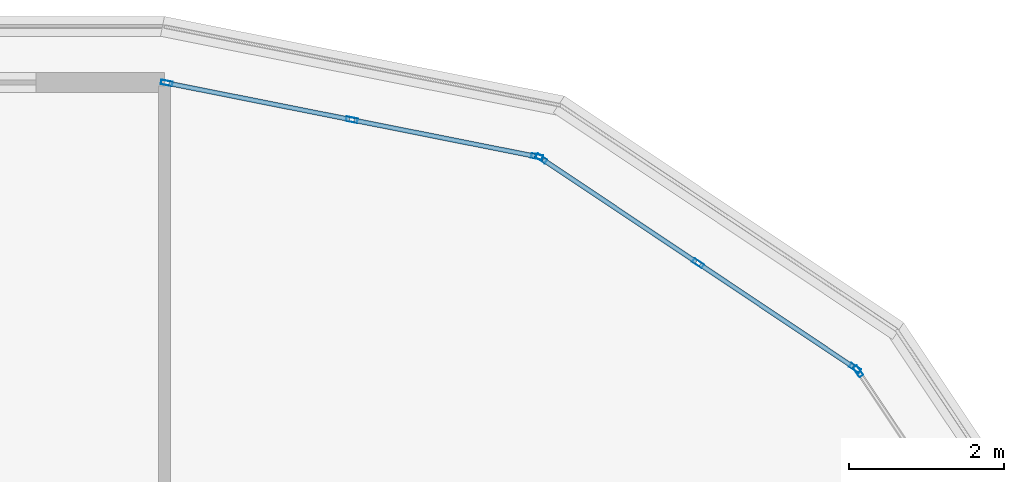
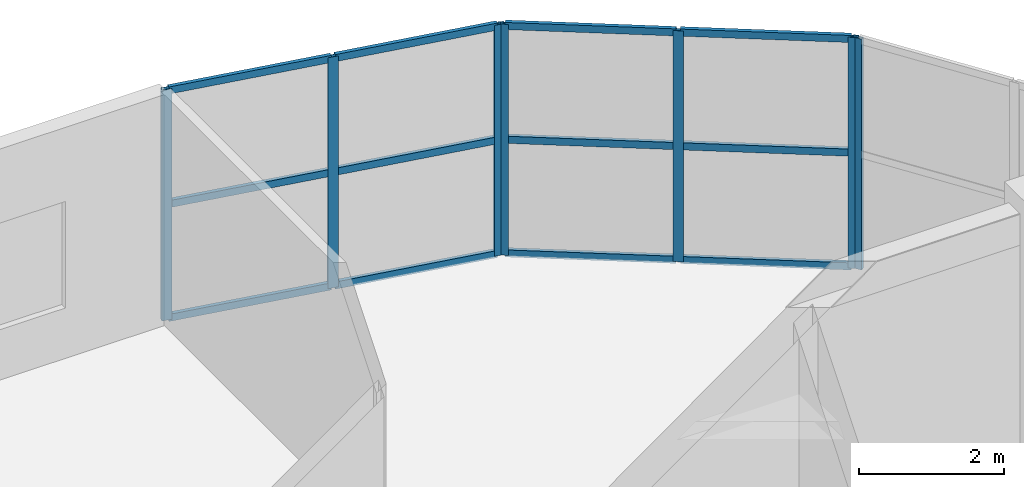
# One storey, part 19 of 33: 19 members, 3 elements without a shape of their own.
"""IFC4 building model written with IfcOpenShell, lengths in metres."""

from ifc_helpers import new_model, si_unit, direction, frame, origin, origin_2d, place, context, subcontext, project, spatial, hollow_rectangle, extrude, material, layer, layer_set, material_profile, profile_set, type_object, element, aggregate, save


model = new_model("IFC4")

# Units and contexts
model_context = context("Model", 3, precision=1e-05, world=origin(), true_north=direction((0.0, 1.0)))
body_context = subcontext(model_context, "Body", "Model", "MODEL_VIEW")
ifc_project = project(units=[si_unit("LENGTHUNIT", "METRE"), si_unit("AREAUNIT", "SQUARE_METRE"), si_unit("VOLUMEUNIT", "CUBIC_METRE"), si_unit("PLANEANGLEUNIT", "RADIAN"), si_unit("MASSUNIT", "GRAM", prefix="KILO")], contexts=[model_context])

# Site, building, storey
site_placement = place(None, origin())
site = spatial("IfcSite", under=ifc_project, at=site_placement, CompositionType="ELEMENT")
building_placement = place(site_placement, origin())
building = spatial("IfcBuilding", under=site, at=building_placement, Name="Zizhar Promenade General Hospital", CompositionType="ELEMENT")
storey_placement = place(building_placement, frame((0.0, 0.0, 39.0)))
storey = spatial("IfcBuildingStorey", under=building, at=storey_placement, Name="L09", CompositionType="ELEMENT", Elevation=39.0)

# Curtain wall, member
ifc_material_1 = material(Name="Anodised aluminium 6063-T6 and low-E glass", Category="aluminium")
ifc_layer = layer(ifc_material_1, 0.159912109375)
ifc_layer_set = layer_set([ifc_layer], Name="Anodised aluminium 6063-T6 and low-E glass")
curtain_wall_type = type_object("IfcCurtainWallType", Name="CW-WARD-ARC", PredefinedType="NOTDEFINED", material=ifc_layer_set)
curtain_wall_1_placement = place(storey_placement, origin())
curtain_wall_1 = element("IfcCurtainWall", 1, at=curtain_wall_1_placement, inside=storey, type_object=curtain_wall_type, Name="Ward Semicircular End Glazing L09-06", PredefinedType="NOTDEFINED")
ifc_material_2 = material(Name="Anodised aluminium 6063-T6", Category="aluminium")
ifc_material_profile_1 = material_profile(ifc_material_2, hollow_rectangle(XDim=0.06005859375, YDim=0.14990234375, WallThickness=0.00390625, at=origin_2d()))
ifc_profile_set_1 = profile_set([ifc_material_profile_1], Name="Anodised aluminium 6063-T6")
member_type_1 = type_object("IfcMemberType", Name="CWM-ALU-150x60", PredefinedType="MULLION", material=ifc_profile_set_1)
member_1_placement = place(storey_placement, frame((101.326171875, 21.484619140625, 0.0), z_axis=(0.0, 0.0, 1.0), x_axis=(0.831461514468, 0.555582352095, 0.0)))
member_1 = element("IfcMember", 2, at=member_1_placement, type_object=member_type_1, Name="CW-12 mullion 1", PredefinedType="MULLION", context=body_context, shape_type="SweptSolid", body=[
    extrude(hollow_rectangle(XDim=0.06005859375, YDim=0.14990234375, WallThickness=0.00390625, at=origin_2d()), origin(), (0.0, 0.0, 1.0), 3.89990234375),
])
aggregate(curtain_wall_1, [member_1])

# Curtain wall, members
curtain_wall_2_placement = place(storey_placement, origin())
curtain_wall_2 = element("IfcCurtainWall", 3, at=curtain_wall_2_placement, inside=storey, type_object=curtain_wall_type, Name="Ward Semicircular End Glazing L09-07", PredefinedType="NOTDEFINED")
member_2_placement = place(storey_placement, frame((97.246826171875, 24.22412109375, 0.0), z_axis=(0.0, 0.0, 1.0), x_axis=(0.555582352095, 0.831461514468, 0.0)))
member_2 = element("IfcMember", 4, at=member_2_placement, type_object=member_type_1, Name="CW-12 mullion 1", PredefinedType="MULLION", context=body_context, shape_type="SweptSolid", body=[
    extrude(hollow_rectangle(XDim=0.06005859375, YDim=0.14990234375, WallThickness=0.00390625, at=origin_2d()), origin(), (0.0, 0.0, 1.0), 3.89990234375),
])
member_3_placement = place(storey_placement, frame((99.265625, 22.875244140625, 0.0), z_axis=(0.0, 0.0, 1.0), x_axis=(0.555582352095, 0.831461514468, 0.0)))
member_3 = element("IfcMember", 5, at=member_3_placement, type_object=member_type_1, Name="CW-12 mullion 2", PredefinedType="MULLION", context=body_context, shape_type="SweptSolid", body=[
    extrude(hollow_rectangle(XDim=0.06005859375, YDim=0.14990234375, WallThickness=0.00390625, at=origin_2d()), origin(), (0.0, 0.0, 1.0), 3.89990234375),
])
member_4_placement = place(storey_placement, frame((101.28466796875, 21.526123046875, 0.0), z_axis=(0.0, 0.0, 1.0), x_axis=(0.555582352095, 0.831461514468, 0.0)))
member_4 = element("IfcMember", 6, at=member_4_placement, type_object=member_type_1, Name="CW-12 mullion 3", PredefinedType="MULLION", context=body_context, shape_type="SweptSolid", body=[
    extrude(hollow_rectangle(XDim=0.06005859375, YDim=0.14990234375, WallThickness=0.00390625, at=origin_2d()), origin(), (0.0, 0.0, 1.0), 3.89990234375),
])

curtain_wall_3_placement = place(storey_placement, origin())
curtain_wall_3 = element("IfcCurtainWall", 7, at=curtain_wall_3_placement, inside=storey, type_object=curtain_wall_type, Name="Ward Semicircular End Glazing L09-08", PredefinedType="NOTDEFINED")
member_5_placement = place(storey_placement, frame((92.429443359375, 25.194091796875, 0.0), z_axis=(0.0, 0.0, 1.0), x_axis=(0.195087259275, 0.980785889615, 0.0)))
member_5 = element("IfcMember", 8, at=member_5_placement, type_object=member_type_1, Name="CW-12 mullion 1", PredefinedType="MULLION", context=body_context, shape_type="SweptSolid", body=[
    extrude(hollow_rectangle(XDim=0.06005859375, YDim=0.14990234375, WallThickness=0.00390625, at=origin_2d()), origin(), (0.0, 0.0, 1.0), 3.89990234375),
])
member_6_placement = place(storey_placement, frame((94.810791015625, 24.720458984375, 0.0), z_axis=(0.0, 0.0, 1.0), x_axis=(0.195087259275, 0.980785889615, 0.0)))
member_6 = element("IfcMember", 9, at=member_6_placement, type_object=member_type_1, Name="CW-12 mullion 2", PredefinedType="MULLION", context=body_context, shape_type="SweptSolid", body=[
    extrude(hollow_rectangle(XDim=0.06005859375, YDim=0.14990234375, WallThickness=0.00390625, at=origin_2d()), origin(), (0.0, 0.0, 1.0), 3.89990234375),
])
member_7_placement = place(storey_placement, frame((97.1923828125, 24.246826171875, 0.0), z_axis=(0.0, 0.0, 1.0), x_axis=(0.195087259275, 0.980785889615, 0.0)))
member_7 = element("IfcMember", 10, at=member_7_placement, type_object=member_type_1, Name="CW-12 mullion 3", PredefinedType="MULLION", context=body_context, shape_type="SweptSolid", body=[
    extrude(hollow_rectangle(XDim=0.06005859375, YDim=0.14990234375, WallThickness=0.00390625, at=origin_2d()), origin(), (0.0, 0.0, 1.0), 3.89990234375),
])

# Member
ifc_material_3 = material(Name="Anodised aluminium 6063-T6", Category="aluminium")
ifc_material_profile_2 = material_profile(ifc_material_3, hollow_rectangle(XDim=0.06005859375, YDim=0.1201171875, WallThickness=0.00390625, at=origin_2d()))
ifc_profile_set_2 = profile_set([ifc_material_profile_2], Name="Anodised aluminium 6063-T6")
member_type_2 = type_object("IfcMemberType", Name="CWT-ALU-120x60", PredefinedType="USERDEFINED", material=ifc_profile_set_2)
member_8_placement = place(storey_placement, frame((97.271728515625, 24.20751953125, 0.030029296875), z_axis=(0.831462978956, -0.555580160396, 0.0), x_axis=(0.555580160396, 0.831462978956, 0.0)))
member_8 = element("IfcMember", 11, at=member_8_placement, type_object=member_type_2, Name="CW-12 transom 1.1", ObjectType="TRANSOM", PredefinedType="USERDEFINED", context=body_context, shape_type="SweptSolid", body=[
    extrude(hollow_rectangle(XDim=0.06005859375, YDim=0.1201171875, WallThickness=0.00390625, at=origin_2d()), origin(), (0.0, 0.0, 1.0), 2.3681640625),
])

member_9_placement = place(storey_placement, frame((97.271728515625, 24.20751953125, 1.949951171875), z_axis=(0.831462978956, -0.555580160396, 0.0), x_axis=(0.555580160396, 0.831462978956, 0.0)))
member_9 = element("IfcMember", 12, at=member_9_placement, type_object=member_type_2, Name="CW-12 transom 1.2", ObjectType="TRANSOM", PredefinedType="USERDEFINED", context=body_context, shape_type="SweptSolid", body=[
    extrude(hollow_rectangle(XDim=0.06005859375, YDim=0.1201171875, WallThickness=0.00390625, at=origin_2d()), origin(), (0.0, 0.0, 1.0), 2.3681640625),
])

member_10_placement = place(storey_placement, frame((97.271728515625, 24.20751953125, 3.8701171875), z_axis=(0.831462978956, -0.555580160396, 0.0), x_axis=(0.555580160396, 0.831462978956, 0.0)))
member_10 = element("IfcMember", 13, at=member_10_placement, type_object=member_type_2, Name="CW-12 transom 1.3", ObjectType="TRANSOM", PredefinedType="USERDEFINED", context=body_context, shape_type="SweptSolid", body=[
    extrude(hollow_rectangle(XDim=0.06005859375, YDim=0.1201171875, WallThickness=0.00390625, at=origin_2d()), origin(), (0.0, 0.0, 1.0), 2.3681640625),
])

member_11_placement = place(storey_placement, frame((99.29052734375, 22.858642578125, 0.030029296875), z_axis=(0.831415354375, -0.555651427164, 0.0), x_axis=(0.555651427164, 0.831415354375, 0.0)))
member_11 = element("IfcMember", 14, at=member_11_placement, type_object=member_type_2, Name="CW-12 transom 2.1", ObjectType="TRANSOM", PredefinedType="USERDEFINED", context=body_context, shape_type="SweptSolid", body=[
    extrude(hollow_rectangle(XDim=0.06005859375, YDim=0.1201171875, WallThickness=0.00390625, at=origin_2d()), origin(), (0.0, 0.0, 1.0), 2.3681640625),
])

member_12_placement = place(storey_placement, frame((99.29052734375, 22.858642578125, 1.949951171875), z_axis=(0.831415354375, -0.555651427164, 0.0), x_axis=(0.555651427164, 0.831415354375, 0.0)))
member_12 = element("IfcMember", 15, at=member_12_placement, type_object=member_type_2, Name="CW-12 transom 2.2", ObjectType="TRANSOM", PredefinedType="USERDEFINED", context=body_context, shape_type="SweptSolid", body=[
    extrude(hollow_rectangle(XDim=0.06005859375, YDim=0.1201171875, WallThickness=0.00390625, at=origin_2d()), origin(), (0.0, 0.0, 1.0), 2.3681640625),
])

member_13_placement = place(storey_placement, frame((99.29052734375, 22.858642578125, 3.8701171875), z_axis=(0.831415354375, -0.555651427164, 0.0), x_axis=(0.555651427164, 0.831415354375, 0.0)))
member_13 = element("IfcMember", 16, at=member_13_placement, type_object=member_type_2, Name="CW-12 transom 2.3", ObjectType="TRANSOM", PredefinedType="USERDEFINED", context=body_context, shape_type="SweptSolid", body=[
    extrude(hollow_rectangle(XDim=0.06005859375, YDim=0.1201171875, WallThickness=0.00390625, at=origin_2d()), origin(), (0.0, 0.0, 1.0), 2.3681640625),
])

aggregate(curtain_wall_2, [member_2, member_3, member_4, member_8, member_9, member_10, member_11, member_12, member_13])

member_14_placement = place(storey_placement, frame((92.458740234375, 25.188232421875, 0.030029296875), z_axis=(0.980794200422, -0.195045472693, 0.0), x_axis=(0.195045472693, 0.980794200422, 0.0)))
member_14 = element("IfcMember", 17, at=member_14_placement, type_object=member_type_2, Name="CW-12 transom 1.1", ObjectType="TRANSOM", PredefinedType="USERDEFINED", context=body_context, shape_type="SweptSolid", body=[
    extrude(hollow_rectangle(XDim=0.06005859375, YDim=0.1201171875, WallThickness=0.00390625, at=origin_2d()), origin(), (0.0, 0.0, 1.0), 2.3681640625),
])

member_15_placement = place(storey_placement, frame((92.458740234375, 25.188232421875, 1.949951171875), z_axis=(0.980794200422, -0.195045472693, 0.0), x_axis=(0.195045472693, 0.980794200422, 0.0)))
member_15 = element("IfcMember", 18, at=member_15_placement, type_object=member_type_2, Name="CW-12 transom 1.2", ObjectType="TRANSOM", PredefinedType="USERDEFINED", context=body_context, shape_type="SweptSolid", body=[
    extrude(hollow_rectangle(XDim=0.06005859375, YDim=0.1201171875, WallThickness=0.00390625, at=origin_2d()), origin(), (0.0, 0.0, 1.0), 2.3681640625),
])

member_16_placement = place(storey_placement, frame((92.458740234375, 25.188232421875, 3.8701171875), z_axis=(0.980794200422, -0.195045472693, 0.0), x_axis=(0.195045472693, 0.980794200422, 0.0)))
member_16 = element("IfcMember", 19, at=member_16_placement, type_object=member_type_2, Name="CW-12 transom 1.3", ObjectType="TRANSOM", PredefinedType="USERDEFINED", context=body_context, shape_type="SweptSolid", body=[
    extrude(hollow_rectangle(XDim=0.06005859375, YDim=0.1201171875, WallThickness=0.00390625, at=origin_2d()), origin(), (0.0, 0.0, 1.0), 2.3681640625),
])

member_17_placement = place(storey_placement, frame((94.84033203125, 24.714599609375, 0.030029296875), z_axis=(0.980790278018, -0.195065195628, 0.0), x_axis=(0.195065195628, 0.980790278018, 0.0)))
member_17 = element("IfcMember", 20, at=member_17_placement, type_object=member_type_2, Name="CW-12 transom 2.1", ObjectType="TRANSOM", PredefinedType="USERDEFINED", context=body_context, shape_type="SweptSolid", body=[
    extrude(hollow_rectangle(XDim=0.06005859375, YDim=0.1201171875, WallThickness=0.00390625, at=origin_2d()), origin(), (0.0, 0.0, 1.0), 2.367919921875),
])

member_18_placement = place(storey_placement, frame((94.84033203125, 24.714599609375, 1.949951171875), z_axis=(0.980790278018, -0.195065195628, 0.0), x_axis=(0.195065195628, 0.980790278018, 0.0)))
member_18 = element("IfcMember", 21, at=member_18_placement, type_object=member_type_2, Name="CW-12 transom 2.2", ObjectType="TRANSOM", PredefinedType="USERDEFINED", context=body_context, shape_type="SweptSolid", body=[
    extrude(hollow_rectangle(XDim=0.06005859375, YDim=0.1201171875, WallThickness=0.00390625, at=origin_2d()), origin(), (0.0, 0.0, 1.0), 2.367919921875),
])

member_19_placement = place(storey_placement, frame((94.84033203125, 24.714599609375, 3.8701171875), z_axis=(0.980790278018, -0.195065195628, 0.0), x_axis=(0.195065195628, 0.980790278018, 0.0)))
member_19 = element("IfcMember", 22, at=member_19_placement, type_object=member_type_2, Name="CW-12 transom 2.3", ObjectType="TRANSOM", PredefinedType="USERDEFINED", context=body_context, shape_type="SweptSolid", body=[
    extrude(hollow_rectangle(XDim=0.06005859375, YDim=0.1201171875, WallThickness=0.00390625, at=origin_2d()), origin(), (0.0, 0.0, 1.0), 2.367919921875),
])

aggregate(curtain_wall_3, [member_5, member_6, member_7, member_14, member_15, member_16, member_17, member_18, member_19])

save(model, "model.ifc")
